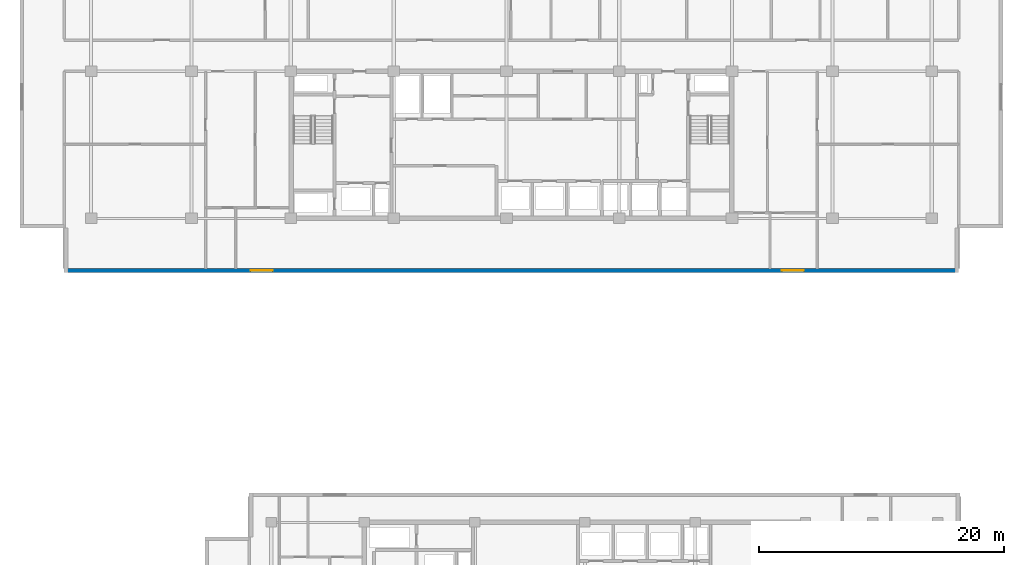
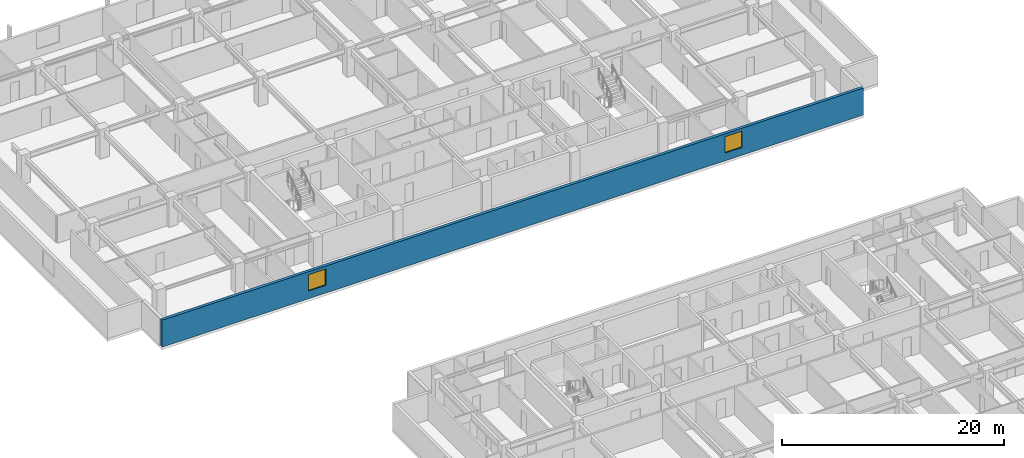
# One storey, part 8 of 21: 2 windows, 1 wall, 2 openings.
"""IFC4 building model written with IfcOpenShell, lengths in metres."""

from ifc_helpers import new_model, si_unit, direction, frame, frame_2d, origin, place, context, subcontext, project, spatial, rectangle, extrude, material, layer, layer_set, type_object, element, fill, save


model = new_model("IFC4")

# Units and contexts
model_context = context("Model", 3, precision=1e-05, world=origin(), true_north=direction((0.0, 1.0)))
body_context = subcontext(model_context, "Body", "Model", "MODEL_VIEW")
ifc_project = project(units=[si_unit("LENGTHUNIT", "METRE"), si_unit("AREAUNIT", "SQUARE_METRE"), si_unit("VOLUMEUNIT", "CUBIC_METRE"), si_unit("PLANEANGLEUNIT", "RADIAN"), si_unit("MASSUNIT", "GRAM", prefix="KILO")], contexts=[model_context])

# Site, building, storey
site_placement = place(None, origin())
site = spatial("IfcSite", under=ifc_project, at=site_placement, CompositionType="ELEMENT")
building_placement = place(site_placement, origin())
building = spatial("IfcBuilding", under=site, at=building_placement, Name="Korimba Cascade Residences", CompositionType="ELEMENT")
storey_placement = place(building_placement, frame((0.0, 0.0, 123.050048828125)))
storey = spatial("IfcBuildingStorey", under=building, at=storey_placement, Name="L35", CompositionType="ELEMENT", Elevation=123.050048828125)

# Wall, openings, windows
ifc_material_1 = material(Name="Precast concrete C40/50", Category="concrete")
ifc_layer = layer(ifc_material_1, 0.300048828125)
ifc_layer_set = layer_set([ifc_layer], Name="Precast concrete C40/50")
wall_type = type_object("IfcWallType", Name="EW-STONE-300", PredefinedType="STANDARD", material=ifc_layer_set)
wall_placement = place(storey_placement, frame((57.60009765625, 50.949951171875, 0.0), z_axis=(0.0, 0.0, 1.0), x_axis=(1.0, 0.0, 0.0)))
wall = element("IfcWall", 1, at=wall_placement, inside=storey, type_object=wall_type, Name="L35 T1 Perimeter Stone Wall E00", PredefinedType="STANDARD", context=body_context, shape_type="SweptSolid", body=[
    extrude(rectangle(XDim=73.0, YDim=0.300048828125, at=frame_2d((36.5, 0.0))), origin(), (0.0, 0.0, 1.0), 2.969970703125),
])
opening_1_placement = place(wall_placement, frame((15.22509765625, 0.0, 0.85009765625)))
opening_1 = element("IfcOpeningElement", 2, at=opening_1_placement, cuts=wall, Name="Opening W-02", PredefinedType="OPENING", context=body_context, shape_type="SweptSolid", body=[
    extrude(rectangle(XDim=1.800048828125, YDim=1.800048828125, at=frame_2d((0.89990234375, 0.89990234375))), frame((0.0, 0.16015625, 0.0), z_axis=(0.0, -1.0, 0.0), x_axis=(1.0, 0.0, 0.0)), (0.0, 0.0, 1.0), 0.320068359375),
])
opening_2_placement = place(wall_placement, frame((58.574951171875, 0.0, 0.85009765625)))
opening_2 = element("IfcOpeningElement", 3, at=opening_2_placement, cuts=wall, Name="Opening W-02", PredefinedType="OPENING", context=body_context, shape_type="SweptSolid", body=[
    extrude(rectangle(XDim=1.800048828125, YDim=1.800048828125, at=frame_2d((0.89990234375, 0.89990234375))), frame((0.0, 0.16015625, 0.0), z_axis=(0.0, -1.0, 0.0), x_axis=(1.0, 0.0, 0.0)), (0.0, 0.0, 1.0), 0.320068359375),
])
ifc_material_2 = material(Name="Double-Glazed Aluminium Window", Category="aluminium")
window_type = type_object("IfcWindowType", Name="WIN-BED-1800", PartitioningType="SINGLE_PANEL", PredefinedType="WINDOW", material=ifc_material_2)
window_1_placement = place(opening_1_placement, origin())
window_1 = element("IfcWindow", 4, at=window_1_placement, inside=storey, type_object=window_type, Name="L35 T1 South Corner Bedroom Window 1", OverallHeight=1.800048828125, OverallWidth=1.800048828125, PartitioningType="SINGLE_PANEL", PredefinedType="WINDOW", context=body_context, shape_type="SweptSolid", body=[
    extrude(rectangle(XDim=1.800048828125, YDim=1.800048828125, at=frame_2d((0.89990234375, 0.89990234375))), frame((0.0, 0.030029296875, 0.0), z_axis=(0.0, -1.0, 0.0), x_axis=(1.0, 0.0, 0.0)), (0.0, 0.0, 1.0), 0.06005859375),
])
fill(opening_1, window_1)
window_2_placement = place(opening_2_placement, origin())
window_2 = element("IfcWindow", 5, at=window_2_placement, inside=storey, type_object=window_type, Name="L35 T1 South Corner Bedroom Window 2", OverallHeight=1.800048828125, OverallWidth=1.800048828125, PartitioningType="SINGLE_PANEL", PredefinedType="WINDOW", context=body_context, shape_type="SweptSolid", body=[
    extrude(rectangle(XDim=1.800048828125, YDim=1.800048828125, at=frame_2d((0.89990234375, 0.89990234375))), frame((0.0, 0.030029296875, 0.0), z_axis=(0.0, -1.0, 0.0), x_axis=(1.0, 0.0, 0.0)), (0.0, 0.0, 1.0), 0.06005859375),
])
fill(opening_2, window_2)

save(model, "model.ifc")
